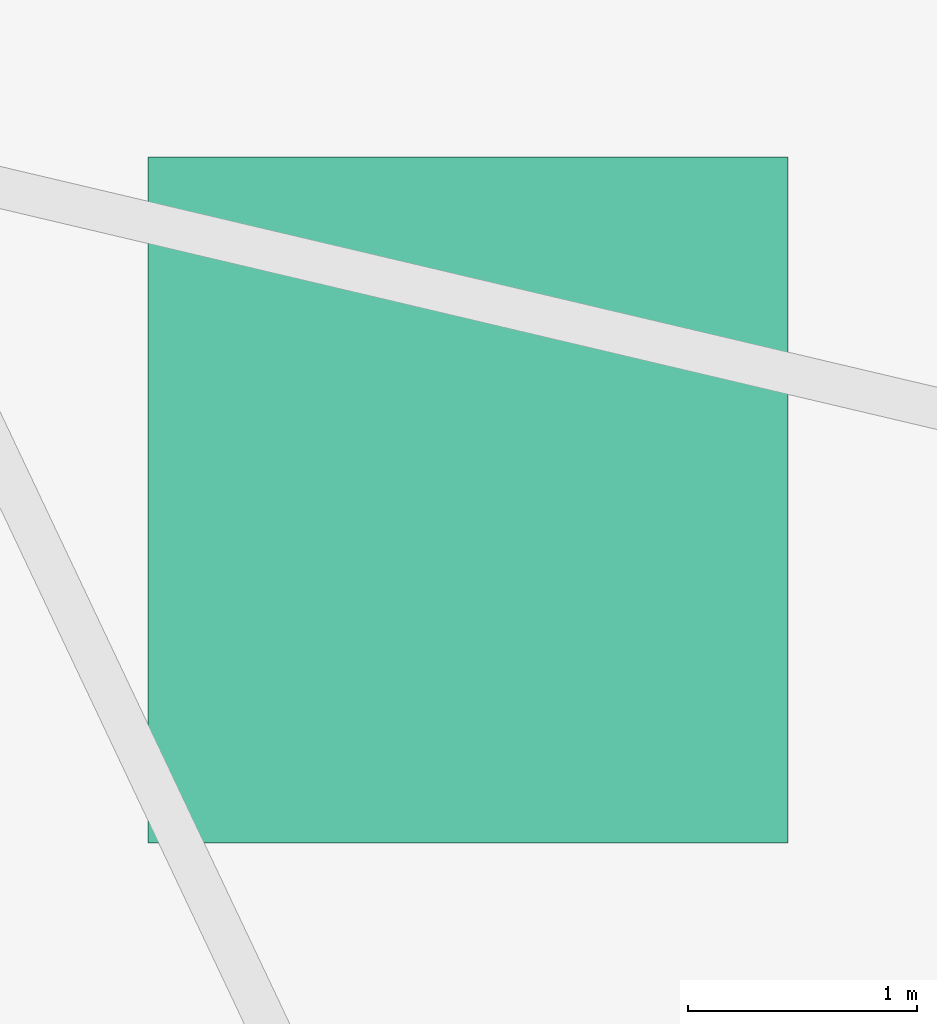
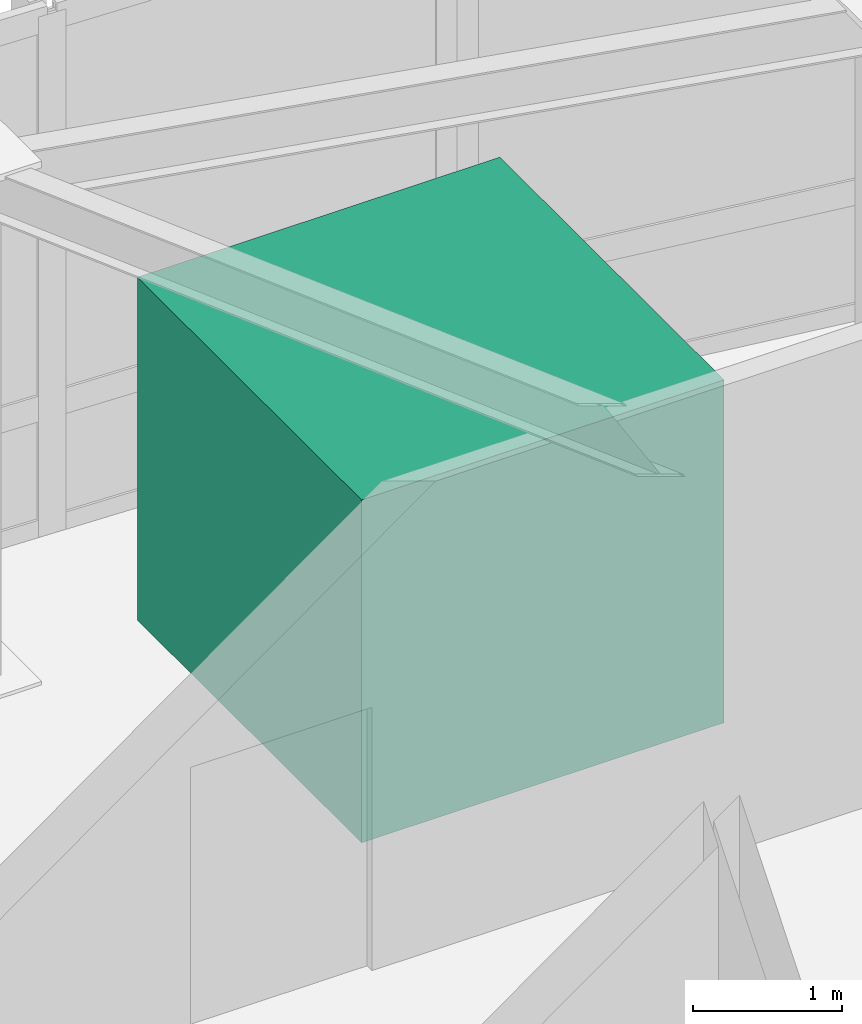
# One storey, part 16 of 16: 1 cooling tower.
"""IFC4 building model written with IfcOpenShell, lengths in metres."""

from ifc_helpers import new_model, si_unit, direction, frame, origin, origin_2d, place, context, subcontext, project, spatial, rectangle, extrude, material, type_object, element, save


model = new_model("IFC4")

# Units and contexts
model_context = context("Model", 3, precision=1e-05, world=origin(), true_north=direction((0.0, 1.0)))
body_context = subcontext(model_context, "Body", "Model", "MODEL_VIEW")
ifc_project = project(units=[si_unit("LENGTHUNIT", "METRE"), si_unit("AREAUNIT", "SQUARE_METRE"), si_unit("VOLUMEUNIT", "CUBIC_METRE"), si_unit("PLANEANGLEUNIT", "RADIAN"), si_unit("MASSUNIT", "GRAM", prefix="KILO")], contexts=[model_context])

# Site, building, storey
site_placement = place(None, origin())
site = spatial("IfcSite", under=ifc_project, at=site_placement, CompositionType="ELEMENT")
building_placement = place(site_placement, origin())
building = spatial("IfcBuilding", under=site, at=building_placement, Name="Tavelor Broadcast Tower", CompositionType="ELEMENT")
storey_placement = place(building_placement, frame((0.0, 0.0, 332.10009765625)))
storey = spatial("IfcBuildingStorey", under=building, at=storey_placement, Name="L79", CompositionType="ELEMENT", Elevation=332.10009765625)

# Cooling tower
ifc_material = material(Name="Steel S355", Category="steel")
cooling_tower_type = type_object("IfcCoolingTowerType", Name="Induced-Draught Acoustic Cooling Tower Cell", PredefinedType="MECHANICALINDUCEDDRAFT", material=ifc_material)
cooling_tower_placement = place(storey_placement, frame((54.785400390625, 59.18505859375, 0.0), z_axis=(0.0, 0.0, 1.0), x_axis=(1.0, 0.0, 0.0)))
element("IfcCoolingTower", 1, at=cooling_tower_placement, inside=storey, type_object=cooling_tower_type, Name="L79 Induced-Draught Acoustic Cooling Tower #10", PredefinedType="MECHANICALINDUCEDDRAFT", context=body_context, shape_type="SweptSolid", body=[
    extrude(rectangle(XDim=2.800048828125, YDim=3.0, at=origin_2d()), origin(), (0.0, 0.0, 1.0), 2.800048828125),
])

save(model, "model.ifc")
